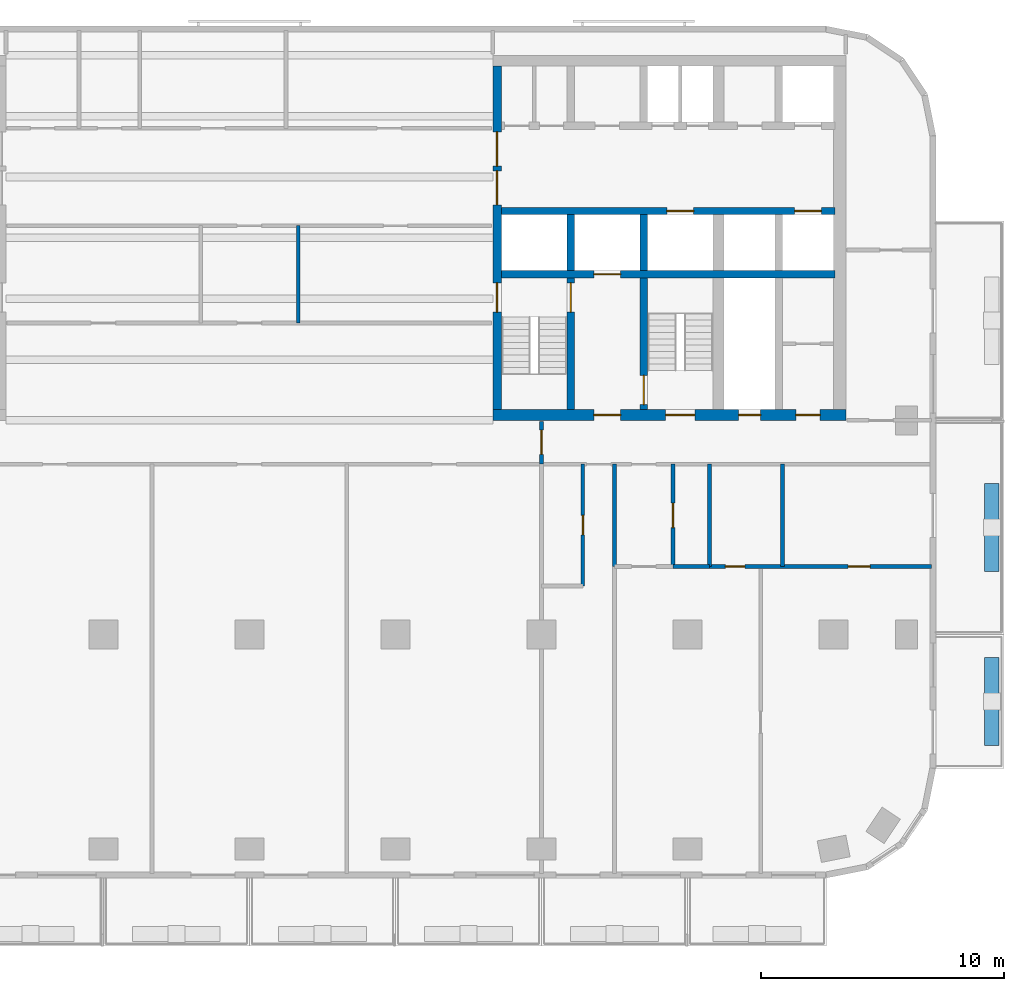
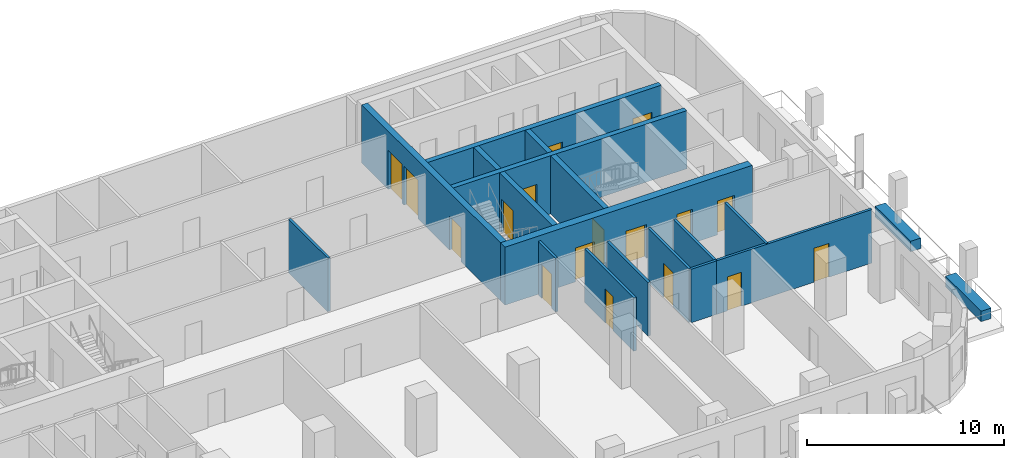
# One storey, part 5 of 11: 19 walls, 17 doors, 17 openings.
"""IFC4 building model written with IfcOpenShell, lengths in metres."""

from ifc_helpers import new_model, si_unit, direction, frame, frame_2d, origin, place, context, subcontext, project, spatial, rectangle, extrude, material, layer, layer_set, type_object, element, fill, save


model = new_model("IFC4")

# Units and contexts
model_context = context("Model", 3, precision=1e-05, world=origin(), true_north=direction((0.0, 1.0)))
body_context = subcontext(model_context, "Body", "Model", "MODEL_VIEW")
ifc_project = project(units=[si_unit("LENGTHUNIT", "METRE"), si_unit("AREAUNIT", "SQUARE_METRE"), si_unit("VOLUMEUNIT", "CUBIC_METRE"), si_unit("PLANEANGLEUNIT", "RADIAN"), si_unit("MASSUNIT", "GRAM", prefix="KILO")], contexts=[model_context])

# Site, building, storey
site_placement = place(None, origin())
site = spatial("IfcSite", under=ifc_project, at=site_placement, CompositionType="ELEMENT")
building_placement = place(site_placement, origin())
building = spatial("IfcBuilding", under=site, at=building_placement, Name="Torana Hotel and Residences", CompositionType="ELEMENT")
storey_placement = place(building_placement, frame((0.0, 0.0, 152.39990234375)))
storey = spatial("IfcBuildingStorey", under=building, at=storey_placement, Name="L39", CompositionType="ELEMENT", Elevation=152.39990234375)

# Wall, openings, doors
ifc_material_1 = material(Name="Concrete C70/85", Category="concrete")
ifc_layer_1 = layer(ifc_material_1, 0.300048828125)
ifc_layer_set_1 = layer_set([ifc_layer_1], Name="CORE WALL 300 C70/85")
wall_type_1 = type_object("IfcWallType", Name="CORE WALL 300 C70/85", PredefinedType="SHEAR", material=ifc_layer_set_1)
wall_1_placement = place(storey_placement, frame((10.35009765625, -6.39990234375, 0.0), z_axis=(0.0, 0.0, 1.0), x_axis=(1.0, 0.0, 0.0)))
wall_1 = element("IfcWall", 1, at=wall_1_placement, inside=storey, type_object=wall_type_1, Name="Core wall E row-S", PredefinedType="SHEAR", context=body_context, shape_type="SweptSolid", body=[
    extrude(rectangle(XDim=13.699951171875, YDim=0.300048828125, at=frame_2d((6.85009765625, 0.0))), origin(), (0.0, 0.0, 1.0), 3.60009765625),
])
opening_1_placement = place(wall_1_placement, frame((12.050048828125, 0.0, 0.0)))
opening_1 = element("IfcOpeningElement", 2, at=opening_1_placement, cuts=wall_1, Name="Opening LD", PredefinedType="OPENING", context=body_context, shape_type="SweptSolid", body=[
    extrude(rectangle(XDim=1.10009765625, YDim=2.10009765625, at=frame_2d((0.550048828125, 1.050048828125))), frame((0.0, 0.159912109375, 0.0), z_axis=(0.0, -1.0, 0.0), x_axis=(1.0, 0.0, 0.0)), (0.0, 0.0, 1.0), 0.320068359375),
])
opening_2_placement = place(wall_1_placement, frame((6.800048828125, 0.0, 0.0)))
opening_2 = element("IfcOpeningElement", 3, at=opening_2_placement, cuts=wall_1, Name="Opening LD", PredefinedType="OPENING", context=body_context, shape_type="SweptSolid", body=[
    extrude(rectangle(XDim=1.10009765625, YDim=2.10009765625, at=frame_2d((0.550048828125, 1.050048828125))), frame((0.0, 0.159912109375, 0.0), z_axis=(0.0, -1.0, 0.0), x_axis=(1.0, 0.0, 0.0)), (0.0, 0.0, 1.0), 0.320068359375),
])
ifc_material_2 = material(Name="Stainless steel 316", Category="steel")
door_type_1 = type_object("IfcDoorType", Name="LIFT LANDING DOOR LD 1100x2100", OperationType="DOUBLE_DOOR_SLIDING", PredefinedType="USERDEFINED", material=ifc_material_2)
door_1_placement = place(opening_1_placement, origin())
door_1 = element("IfcDoor", 4, at=door_1_placement, inside=storey, type_object=door_type_1, Name="Lift landing door M4 L39", ObjectType="LIFT LANDING DOOR", OperationType="DOUBLE_DOOR_SLIDING", OverallHeight=2.10009765625, OverallWidth=1.10009765625, PredefinedType="USERDEFINED", context=body_context, shape_type="SweptSolid", body=[
    extrude(rectangle(XDim=1.10009765625, YDim=2.10009765625, at=frame_2d((0.550048828125, 1.050048828125))), frame((0.0, 0.02490234375, 0.0), z_axis=(0.0, -1.0, 0.0), x_axis=(1.0, 0.0, 0.0)), (0.0, 0.0, 1.0), 0.050048828125),
])
fill(opening_1, door_1)
door_2_placement = place(opening_2_placement, origin())
door_2 = element("IfcDoor", 5, at=door_2_placement, inside=storey, type_object=door_type_1, Name="Lift landing door SV2 L39", ObjectType="LIFT LANDING DOOR", OperationType="DOUBLE_DOOR_SLIDING", OverallHeight=2.10009765625, OverallWidth=1.10009765625, PredefinedType="USERDEFINED", context=body_context, shape_type="SweptSolid", body=[
    extrude(rectangle(XDim=1.10009765625, YDim=2.10009765625, at=frame_2d((0.550048828125, 1.050048828125))), frame((0.0, 0.02490234375, 0.0), z_axis=(0.0, -1.0, 0.0), x_axis=(1.0, 0.0, 0.0)), (0.0, 0.0, 1.0), 0.050048828125),
])
fill(opening_2, door_2)

# Wall, opening, door
wall_2_placement = place(storey_placement, frame((10.35009765625, -9.0, 0.0), z_axis=(0.0, 0.0, 1.0), x_axis=(1.0, 0.0, 0.0)))
wall_2 = element("IfcWall", 6, at=wall_2_placement, inside=storey, type_object=wall_type_1, Name="Core wall E band", PredefinedType="SHEAR", context=body_context, shape_type="SweptSolid", body=[
    extrude(rectangle(XDim=13.699951171875, YDim=0.300048828125, at=frame_2d((6.85009765625, 0.0))), origin(), (0.0, 0.0, 1.0), 3.60009765625),
])
opening_3_placement = place(wall_2_placement, frame((3.800048828125, 0.0, 0.0)))
opening_3 = element("IfcOpeningElement", 7, at=opening_3_placement, cuts=wall_2, Name="Opening LD", PredefinedType="OPENING", context=body_context, shape_type="SweptSolid", body=[
    extrude(rectangle(XDim=1.10009765625, YDim=2.10009765625, at=frame_2d((0.550048828125, 1.050048828125))), frame((0.0, 0.159912109375, 0.0), z_axis=(0.0, -1.0, 0.0), x_axis=(1.0, 0.0, 0.0)), (0.0, 0.0, 1.0), 0.320068359375),
])
door_3_placement = place(opening_3_placement, origin())
door_3 = element("IfcDoor", 8, at=door_3_placement, inside=storey, type_object=door_type_1, Name="Lift landing door FF2 L39", ObjectType="LIFT LANDING DOOR", OperationType="DOUBLE_DOOR_SLIDING", OverallHeight=2.10009765625, OverallWidth=1.10009765625, PredefinedType="USERDEFINED", context=body_context, shape_type="SweptSolid", body=[
    extrude(rectangle(XDim=1.10009765625, YDim=2.10009765625, at=frame_2d((0.550048828125, 1.050048828125))), frame((0.0, 0.02490234375, 0.0), z_axis=(0.0, -1.0, 0.0), x_axis=(1.0, 0.0, 0.0)), (0.0, 0.0, 1.0), 0.050048828125),
])
fill(opening_3, door_3)

# Wall
wall_3_placement = place(storey_placement, frame((13.199951171875, -8.85009765625, 0.0), z_axis=(0.0, 0.0, 1.0), x_axis=(0.0, 1.0, 0.0)))
element("IfcWall", 9, at=wall_3_placement, inside=storey, type_object=wall_type_1, Name="Core wall E x3.05-S", PredefinedType="SHEAR", context=body_context, shape_type="SweptSolid", body=[
    extrude(rectangle(XDim=2.300048828125, YDim=0.300048828125, at=frame_2d((1.14990234375, 0.0))), origin(), (0.0, 0.0, 1.0), 3.60009765625),
])

# Wall, opening, door
wall_4_placement = place(storey_placement, frame((13.199951171875, -14.550048828125, 0.0), z_axis=(0.0, 0.0, 1.0), x_axis=(0.0, 1.0, 0.0)))
wall_4 = element("IfcWall", 10, at=wall_4_placement, inside=storey, type_object=wall_type_1, Name="Core wall E x3.05-band", PredefinedType="SHEAR", context=body_context, shape_type="SweptSolid", body=[
    extrude(rectangle(XDim=5.400146484375, YDim=0.300048828125, at=frame_2d((2.7001953125, 0.0))), origin(), (0.0, 0.0, 1.0), 3.60009765625),
])
opening_4_placement = place(wall_4_placement, frame((4.0, 0.0, 0.0)))
opening_4 = element("IfcOpeningElement", 11, at=opening_4_placement, cuts=wall_4, Name="Opening L39-29", PredefinedType="OPENING", context=body_context, shape_type="SweptSolid", body=[
    extrude(rectangle(XDim=1.199951171875, YDim=2.10009765625, at=frame_2d((0.60009765625, 1.050048828125))), frame((0.0, 0.159912109375, 0.0), z_axis=(0.0, -1.0, 0.0), x_axis=(1.0, 0.0, 0.0)), (0.0, 0.0, 1.0), 0.320068359375),
])
ifc_material_3 = material(Name="Steel S235", Category="steel")
door_type_2 = type_object("IfcDoorType", Name="STAIR FIRE DOOR D3 1200x2100", OperationType="SINGLE_SWING_LEFT", PredefinedType="DOOR", material=ifc_material_3)
door_4_placement = place(opening_4_placement, origin())
door_4 = element("IfcDoor", 12, at=door_4_placement, inside=storey, type_object=door_type_2, Name="Stair-A-lobby door L39", OperationType="SINGLE_SWING_LEFT", OverallHeight=2.10009765625, OverallWidth=1.199951171875, PredefinedType="DOOR", context=body_context, shape_type="SweptSolid", body=[
    extrude(rectangle(XDim=1.199951171875, YDim=2.10009765625, at=frame_2d((0.60009765625, 1.050048828125))), frame((0.0, 0.02490234375, 0.0), z_axis=(0.0, -1.0, 0.0), x_axis=(1.0, 0.0, 0.0)), (0.0, 0.0, 1.0), 0.050048828125),
])
fill(opening_4, door_4)

# Wall
wall_5_placement = place(storey_placement, frame((16.199951171875, -8.85009765625, 0.0), z_axis=(0.0, 0.0, 1.0), x_axis=(0.0, 1.0, 0.0)))
element("IfcWall", 13, at=wall_5_placement, inside=storey, type_object=wall_type_1, Name="Core wall E x6.05-S", PredefinedType="SHEAR", context=body_context, shape_type="SweptSolid", body=[
    extrude(rectangle(XDim=2.300048828125, YDim=0.300048828125, at=frame_2d((1.14990234375, 0.0))), origin(), (0.0, 0.0, 1.0), 3.60009765625),
])

# Wall, opening, door
wall_6_placement = place(storey_placement, frame((16.199951171875, -14.550048828125, 0.0), z_axis=(0.0, 0.0, 1.0), x_axis=(0.0, 1.0, 0.0)))
wall_6 = element("IfcWall", 14, at=wall_6_placement, inside=storey, type_object=wall_type_1, Name="Core wall E x6.05-band", PredefinedType="SHEAR", context=body_context, shape_type="SweptSolid", body=[
    extrude(rectangle(XDim=5.400146484375, YDim=0.300048828125, at=frame_2d((2.7001953125, 0.0))), origin(), (0.0, 0.0, 1.0), 3.60009765625),
])
opening_5_placement = place(wall_6_placement, frame((0.199951171875, 0.0, 0.0)))
opening_5 = element("IfcOpeningElement", 15, at=opening_5_placement, cuts=wall_6, Name="Opening L39-30", PredefinedType="OPENING", context=body_context, shape_type="SweptSolid", body=[
    extrude(rectangle(XDim=1.199951171875, YDim=2.10009765625, at=frame_2d((0.60009765625, 1.050048828125))), frame((0.0, 0.159912109375, 0.0), z_axis=(0.0, -1.0, 0.0), x_axis=(1.0, 0.0, 0.0)), (0.0, 0.0, 1.0), 0.320068359375),
])
door_5_placement = place(opening_5_placement, frame((0.60009765625, 0.0, 0.0), z_axis=(0.0, 0.0, 1.0), x_axis=(-1.0, 0.0, 0.0)))
door_5 = element("IfcDoor", 16, at=door_5_placement, inside=storey, type_object=door_type_2, Name="Stair-B-lobby door L39", OperationType="SINGLE_SWING_LEFT", OverallHeight=2.10009765625, OverallWidth=1.199951171875, PredefinedType="DOOR", context=body_context, shape_type="SweptSolid", body=[
    extrude(rectangle(XDim=1.199951171875, YDim=2.10009765625, at=frame_2d((0.0, 1.050048828125))), frame((0.0, -0.02490234375, 0.0), z_axis=(0.0, 1.0, 0.0), x_axis=(-1.0, 0.0, 0.0)), (0.0, 0.0, 1.0), 0.050048828125),
])
fill(opening_5, door_5)

# Wall, openings, doors
ifc_material_4 = material(Name="Concrete C70/85", Category="concrete")
ifc_layer_2 = layer(ifc_material_4, 0.35009765625)
ifc_layer_set_2 = layer_set([ifc_layer_2], Name="CORE WALL 350 C70/85")
wall_type_2 = type_object("IfcWallType", Name="CORE WALL 350 C70/85", PredefinedType="SHEAR", material=ifc_layer_set_2)
wall_7_placement = place(storey_placement, frame((10.175048828125, -14.550048828125, 0.0), z_axis=(0.0, 0.0, 1.0), x_axis=(0.0, 1.0, 0.0)))
wall_7 = element("IfcWall", 17, at=wall_7_placement, inside=storey, type_object=wall_type_2, Name="Core wall E arch", PredefinedType="SHEAR", context=body_context, shape_type="SweptSolid", body=[
    extrude(rectangle(XDim=14.10009765625, YDim=0.35009765625, at=frame_2d((7.050048828125, 0.0))), origin(), (0.0, 0.0, 1.0), 3.60009765625),
])
opening_6_placement = place(wall_7_placement, frame((8.39990234375, 0.0, 0.0)))
opening_6 = element("IfcOpeningElement", 18, at=opening_6_placement, cuts=wall_7, Name="Opening L39-16", PredefinedType="OPENING", context=body_context, shape_type="SweptSolid", body=[
    extrude(rectangle(XDim=1.39990234375, YDim=2.39990234375, at=frame_2d((0.699951171875, 1.199951171875))), frame((0.0, 0.18505859375, 0.0), z_axis=(0.0, -1.0, 0.0), x_axis=(1.0, 0.0, 0.0)), (0.0, 0.0, 1.0), 0.3701171875),
])
opening_7_placement = place(wall_7_placement, frame((10.0, 0.0, 0.0)))
opening_7 = element("IfcOpeningElement", 19, at=opening_7_placement, cuts=wall_7, Name="Opening L39-17", PredefinedType="OPENING", context=body_context, shape_type="SweptSolid", body=[
    extrude(rectangle(XDim=1.39990234375, YDim=2.39990234375, at=frame_2d((0.699951171875, 1.199951171875))), frame((0.0, 0.18505859375, 0.0), z_axis=(0.0, -1.0, 0.0), x_axis=(1.0, 0.0, 0.0)), (0.0, 0.0, 1.0), 0.3701171875),
])
opening_8_placement = place(wall_7_placement, frame((4.0, 0.0, 0.0)))
opening_8 = element("IfcOpeningElement", 20, at=opening_8_placement, cuts=wall_7, Name="Opening L39-18", PredefinedType="OPENING", context=body_context, shape_type="SweptSolid", body=[
    extrude(rectangle(XDim=1.199951171875, YDim=2.10009765625, at=frame_2d((0.60009765625, 1.050048828125))), frame((0.0, 0.18505859375, 0.0), z_axis=(0.0, -1.0, 0.0), x_axis=(1.0, 0.0, 0.0)), (0.0, 0.0, 1.0), 0.3701171875),
])
ifc_material_5 = material(Name="Steel S235", Category="steel")
door_type_3 = type_object("IfcDoorType", Name="LOBBY FIRE DOOR D4 1400x2400", OperationType="DOUBLE_DOOR_SINGLE_SWING", PredefinedType="DOOR", material=ifc_material_5)
door_6_placement = place(opening_6_placement, origin())
door_6 = element("IfcDoor", 21, at=door_6_placement, inside=storey, type_object=door_type_3, Name="Lobby-1 door L39", OperationType="DOUBLE_DOOR_SINGLE_SWING", OverallHeight=2.39990234375, OverallWidth=1.39990234375, PredefinedType="DOOR", context=body_context, shape_type="SweptSolid", body=[
    extrude(rectangle(XDim=1.39990234375, YDim=2.39990234375, at=frame_2d((0.699951171875, 1.199951171875))), frame((0.0, 0.02490234375, 0.0), z_axis=(0.0, -1.0, 0.0), x_axis=(1.0, 0.0, 0.0)), (0.0, 0.0, 1.0), 0.050048828125),
])
fill(opening_6, door_6)
door_7_placement = place(opening_7_placement, origin())
door_7 = element("IfcDoor", 22, at=door_7_placement, inside=storey, type_object=door_type_3, Name="Lobby-2 door L39", OperationType="DOUBLE_DOOR_SINGLE_SWING", OverallHeight=2.39990234375, OverallWidth=1.39990234375, PredefinedType="DOOR", context=body_context, shape_type="SweptSolid", body=[
    extrude(rectangle(XDim=1.39990234375, YDim=2.39990234375, at=frame_2d((0.699951171875, 1.199951171875))), frame((0.0, 0.02490234375, 0.0), z_axis=(0.0, -1.0, 0.0), x_axis=(1.0, 0.0, 0.0)), (0.0, 0.0, 1.0), 0.050048828125),
])
fill(opening_7, door_7)
door_8_placement = place(opening_8_placement, frame((0.60009765625, 0.0, 0.0), z_axis=(0.0, 0.0, 1.0), x_axis=(-1.0, 0.0, 0.0)))
door_8 = element("IfcDoor", 23, at=door_8_placement, inside=storey, type_object=door_type_2, Name="Stair-A door L39", OperationType="SINGLE_SWING_RIGHT", OverallHeight=2.10009765625, OverallWidth=1.199951171875, PredefinedType="DOOR", context=body_context, shape_type="SweptSolid", body=[
    extrude(rectangle(XDim=1.199951171875, YDim=2.10009765625, at=frame_2d((0.0, 1.050048828125))), frame((0.0, -0.02490234375, 0.0), z_axis=(0.0, 1.0, 0.0), x_axis=(-1.0, 0.0, 0.0)), (0.0, 0.0, 1.0), 0.050048828125),
])
fill(opening_8, door_8)

ifc_material_6 = material(Name="Concrete C70/85", Category="concrete")
ifc_layer_3 = layer(ifc_material_6, 0.449951171875)
ifc_layer_set_3 = layer_set([ifc_layer_3], Name="CORE WALL 450 C70/85")
wall_type_3 = type_object("IfcWallType", Name="CORE WALL 450 C70/85", PredefinedType="SHEAR", material=ifc_layer_set_3)
wall_8_placement = place(storey_placement, frame((10.0, -14.77490234375, 0.0), z_axis=(0.0, 0.0, 1.0), x_axis=(1.0, 0.0, 0.0)))
wall_8 = element("IfcWall", 24, at=wall_8_placement, inside=storey, type_object=wall_type_3, Name="Core wall E front", PredefinedType="SHEAR", context=body_context, shape_type="SweptSolid", body=[
    extrude(rectangle(XDim=14.5, YDim=0.449951171875, at=frame_2d((7.25, 0.0))), origin(), (0.0, 0.0, 1.0), 3.60009765625),
])
opening_9_placement = place(wall_8_placement, frame((7.10009765625, 0.0, 0.0)))
opening_9 = element("IfcOpeningElement", 25, at=opening_9_placement, cuts=wall_8, Name="Opening L39-19", PredefinedType="OPENING", context=body_context, shape_type="SweptSolid", body=[
    extrude(rectangle(XDim=1.199951171875, YDim=2.10009765625, at=frame_2d((0.60009765625, 1.050048828125))), frame((0.0, 0.23486328125, 0.0), z_axis=(0.0, -1.0, 0.0), x_axis=(1.0, 0.0, 0.0)), (0.0, 0.0, 1.0), 0.469970703125),
])
opening_10_placement = place(wall_8_placement, frame((4.14990234375, 0.0, 0.0)))
opening_10 = element("IfcOpeningElement", 26, at=opening_10_placement, cuts=wall_8, Name="Opening L39-20", PredefinedType="OPENING", context=body_context, shape_type="SweptSolid", body=[
    extrude(rectangle(XDim=1.10009765625, YDim=2.10009765625, at=frame_2d((0.550048828125, 1.050048828125))), frame((0.0, 0.23486328125, 0.0), z_axis=(0.0, -1.0, 0.0), x_axis=(1.0, 0.0, 0.0)), (0.0, 0.0, 1.0), 0.469970703125),
])
opening_11_placement = place(wall_8_placement, frame((10.10009765625, 0.0, 0.0)))
opening_11 = element("IfcOpeningElement", 27, at=opening_11_placement, cuts=wall_8, Name="Opening L39-21", PredefinedType="OPENING", context=body_context, shape_type="SweptSolid", body=[
    extrude(rectangle(XDim=0.89990234375, YDim=2.10009765625, at=frame_2d((0.449951171875, 1.050048828125))), frame((0.0, 0.23486328125, 0.0), z_axis=(0.0, -1.0, 0.0), x_axis=(1.0, 0.0, 0.0)), (0.0, 0.0, 1.0), 0.469970703125),
])
opening_12_placement = place(wall_8_placement, frame((12.449951171875, 0.0, 0.0)))
opening_12 = element("IfcOpeningElement", 28, at=opening_12_placement, cuts=wall_8, Name="Opening L39-22", PredefinedType="OPENING", context=body_context, shape_type="SweptSolid", body=[
    extrude(rectangle(XDim=1.0, YDim=2.10009765625, at=frame_2d((0.5, 1.050048828125))), frame((0.0, 0.23486328125, 0.0), z_axis=(0.0, -1.0, 0.0), x_axis=(1.0, 0.0, 0.0)), (0.0, 0.0, 1.0), 0.469970703125),
])
ifc_material_7 = material(Name="Steel S235", Category="steel")
door_type_4 = type_object("IfcDoorType", Name="CORE ROOM FIRE DOOR D14 1000x2100", OperationType="SINGLE_SWING_LEFT", PredefinedType="DOOR", material=ifc_material_7)
door_9_placement = place(opening_12_placement, origin())
door_9 = element("IfcDoor", 29, at=door_9_placement, inside=storey, type_object=door_type_4, Name="M-Room-B door L39", OperationType="SINGLE_SWING_RIGHT", OverallHeight=2.10009765625, OverallWidth=1.0, PredefinedType="DOOR", context=body_context, shape_type="SweptSolid", body=[
    extrude(rectangle(XDim=1.0, YDim=2.10009765625, at=frame_2d((0.5, 1.050048828125))), frame((0.0, 0.02490234375, 0.0), z_axis=(0.0, -1.0, 0.0), x_axis=(1.0, 0.0, 0.0)), (0.0, 0.0, 1.0), 0.050048828125),
])
fill(opening_12, door_9)
ifc_material_8 = material(Name="Steel S235", Category="steel")
door_type_5 = type_object("IfcDoorType", Name="FIRE-FIGHTING LOBBY DOOR D8 1100x2100", OperationType="SINGLE_SWING_LEFT", PredefinedType="DOOR", material=ifc_material_8)
door_10_placement = place(opening_10_placement, origin())
door_10 = element("IfcDoor", 30, at=door_10_placement, inside=storey, type_object=door_type_5, Name="FF-lobby door L39", OperationType="SINGLE_SWING_RIGHT", OverallHeight=2.10009765625, OverallWidth=1.10009765625, PredefinedType="DOOR", context=body_context, shape_type="SweptSolid", body=[
    extrude(rectangle(XDim=1.10009765625, YDim=2.10009765625, at=frame_2d((0.550048828125, 1.050048828125))), frame((0.0, 0.02490234375, 0.0), z_axis=(0.0, -1.0, 0.0), x_axis=(1.0, 0.0, 0.0)), (0.0, 0.0, 1.0), 0.050048828125),
])
fill(opening_10, door_10)
ifc_material_9 = material(Name="Steel S235", Category="steel")
door_type_6 = type_object("IfcDoorType", Name="RISER ACCESS DOOR D5 900x2100", OperationType="SINGLE_SWING_LEFT", PredefinedType="DOOR", material=ifc_material_9)
door_11_placement = place(opening_11_placement, origin())
door_11 = element("IfcDoor", 31, at=door_11_placement, inside=storey, type_object=door_type_6, Name="M-Riser door L39", OperationType="SINGLE_SWING_RIGHT", OverallHeight=2.10009765625, OverallWidth=0.89990234375, PredefinedType="DOOR", context=body_context, shape_type="SweptSolid", body=[
    extrude(rectangle(XDim=0.89990234375, YDim=2.10009765625, at=frame_2d((0.449951171875, 1.050048828125))), frame((0.0, 0.02490234375, 0.0), z_axis=(0.0, -1.0, 0.0), x_axis=(1.0, 0.0, 0.0)), (0.0, 0.0, 1.0), 0.050048828125),
])
fill(opening_11, door_11)
door_12_placement = place(opening_9_placement, origin())
door_12 = element("IfcDoor", 32, at=door_12_placement, inside=storey, type_object=door_type_2, Name="Stair-B door L39", OperationType="SINGLE_SWING_RIGHT", OverallHeight=2.10009765625, OverallWidth=1.199951171875, PredefinedType="DOOR", context=body_context, shape_type="SweptSolid", body=[
    extrude(rectangle(XDim=1.199951171875, YDim=2.10009765625, at=frame_2d((0.60009765625, 1.050048828125))), frame((0.0, 0.02490234375, 0.0), z_axis=(0.0, -1.0, 0.0), x_axis=(1.0, 0.0, 0.0)), (0.0, 0.0, 1.0), 0.050048828125),
])
fill(opening_9, door_12)

# Wall, opening, door
ifc_material_10 = material(Name="Gypsum plaster")
ifc_layer_4 = layer(ifc_material_10, 0.014892578125, Name="Plaster", Category="finish")
ifc_material_11 = material(Name="Concrete blockwork", Category="masonry")
ifc_layer_5 = layer(ifc_material_11, 0.1201171875, Name="Blockwork", Category="structure")
ifc_layer_6 = layer(ifc_material_10, 0.014892578125, Name="Plaster", Category="finish")
ifc_layer_set_4 = layer_set([ifc_layer_4, ifc_layer_5, ifc_layer_6], Name="FIRE PARTITION 150 BLOCKWORK")
wall_type_4 = type_object("IfcWallType", Name="FIRE PARTITION 150 BLOCKWORK", PredefinedType="PARTITIONING", material=ifc_layer_set_4)
wall_9_placement = place(storey_placement, frame((17.39990234375, -21.0, 0.0), z_axis=(0.0, 0.0, 1.0), x_axis=(0.0, 1.0, 0.0)))
wall_9 = element("IfcWall", 33, at=wall_9_placement, inside=storey, type_object=wall_type_4, Name="Partition L39", PredefinedType="PARTITIONING", context=body_context, shape_type="SweptSolid", body=[
    extrude(rectangle(XDim=4.199951171875, YDim=0.14990234375, at=frame_2d((2.10009765625, 0.0))), origin(), (0.0, 0.0, 1.0), 3.320068359375),
])
opening_13_placement = place(wall_9_placement, frame((1.60009765625, 0.0, 0.0)))
opening_13 = element("IfcOpeningElement", 34, at=opening_13_placement, cuts=wall_9, Name="Opening L39-59", PredefinedType="OPENING", context=body_context, shape_type="SweptSolid", body=[
    extrude(rectangle(XDim=1.0, YDim=2.10009765625, at=frame_2d((0.5, 1.050048828125))), frame((0.0, 0.0849609375, 0.0), z_axis=(0.0, -1.0, 0.0), x_axis=(1.0, 0.0, 0.0)), (0.0, 0.0, 1.0), 0.169921875),
])
ifc_material_12 = material(Name="Steel S235", Category="steel")
door_type_7 = type_object("IfcDoorType", Name="ENTRY FIRE DOOR D6 1000x2100", OperationType="SINGLE_SWING_LEFT", PredefinedType="DOOR", material=ifc_material_12)
door_13_placement = place(opening_13_placement, frame((0.5, 0.0, 0.0), z_axis=(0.0, 0.0, 1.0), x_axis=(-1.0, 0.0, 0.0)))
door_13 = element("IfcDoor", 35, at=door_13_placement, inside=storey, type_object=door_type_7, Name="Door L39", OperationType="SINGLE_SWING_LEFT", OverallHeight=2.10009765625, OverallWidth=1.0, PredefinedType="DOOR", context=body_context, shape_type="SweptSolid", body=[
    extrude(rectangle(XDim=1.0, YDim=2.10009765625, at=frame_2d((0.0, 1.050048828125))), frame((0.0, -0.02490234375, 0.0), z_axis=(0.0, 1.0, 0.0), x_axis=(-1.0, 0.0, 0.0)), (0.0, 0.0, 1.0), 0.050048828125),
])
fill(opening_13, door_13)

# Wall
wall_10_placement = place(storey_placement, frame((15.0, -21.0, 0.0), z_axis=(0.0, 0.0, 1.0), x_axis=(0.0, 1.0, 0.0)))
element("IfcWall", 36, at=wall_10_placement, inside=storey, type_object=wall_type_4, Name="Partition L39", PredefinedType="PARTITIONING", context=body_context, shape_type="SweptSolid", body=[
    extrude(rectangle(XDim=4.199951171875, YDim=0.14990234375, at=frame_2d((2.10009765625, 0.0))), origin(), (0.0, 0.0, 1.0), 3.320068359375),
])

# Wall, opening, door
wall_11_placement = place(storey_placement, frame((12.0, -16.800048828125, 0.0), z_axis=(0.0, 0.0, 1.0), x_axis=(0.0, 1.0, 0.0)))
wall_11 = element("IfcWall", 37, at=wall_11_placement, inside=storey, type_object=wall_type_4, Name="Partition L39", PredefinedType="PARTITIONING", context=body_context, shape_type="SweptSolid", body=[
    extrude(rectangle(XDim=1.75, YDim=0.14990234375, at=frame_2d((0.875, 0.0))), origin(), (0.0, 0.0, 1.0), 3.320068359375),
])
opening_14_placement = place(wall_11_placement, frame((0.39990234375, 0.0, 0.0)))
opening_14 = element("IfcOpeningElement", 38, at=opening_14_placement, cuts=wall_11, Name="Opening L39-37", PredefinedType="OPENING", context=body_context, shape_type="SweptSolid", body=[
    extrude(rectangle(XDim=1.0, YDim=2.10009765625, at=frame_2d((0.5, 1.050048828125))), frame((0.0, 0.0849609375, 0.0), z_axis=(0.0, -1.0, 0.0), x_axis=(1.0, 0.0, 0.0)), (0.0, 0.0, 1.0), 0.169921875),
])
door_14_placement = place(opening_14_placement, origin())
door_14 = element("IfcDoor", 39, at=door_14_placement, inside=storey, type_object=door_type_7, Name="Door L39", OperationType="SINGLE_SWING_RIGHT", OverallHeight=2.10009765625, OverallWidth=1.0, PredefinedType="DOOR", context=body_context, shape_type="SweptSolid", body=[
    extrude(rectangle(XDim=1.0, YDim=2.10009765625, at=frame_2d((0.5, 1.050048828125))), frame((0.0, 0.02490234375, 0.0), z_axis=(0.0, -1.0, 0.0), x_axis=(1.0, 0.0, 0.0)), (0.0, 0.0, 1.0), 0.050048828125),
])
fill(opening_14, door_14)

# Walls
wall_12_placement = place(storey_placement, frame((2.0, -11.0, 0.0), z_axis=(0.0, 0.0, 1.0), x_axis=(0.0, 1.0, 0.0)))
element("IfcWall", 40, at=wall_12_placement, inside=storey, type_object=wall_type_4, Name="Partition L39", PredefinedType="PARTITIONING", context=body_context, shape_type="SweptSolid", body=[
    extrude(rectangle(XDim=4.0, YDim=0.14990234375, at=frame_2d((2.0, 0.0))), origin(), (0.0, 0.0, 1.0), 3.320068359375),
])
ifc_material_13 = material(Name="Gypsum plasterboard")
ifc_layer_7 = layer(ifc_material_13, 0.012451171875, Name="Plasterboard", Category="finish")
ifc_layer_8 = layer(ifc_material_13, 0.012451171875, Name="Plasterboard", Category="finish")
ifc_material_14 = material(Name="Steel S280GD", Category="steel")
ifc_layer_9 = layer(ifc_material_14, 0.10009765625, Name="Steel studs with mineral wool", Category="insulation")
ifc_layer_10 = layer(ifc_material_13, 0.012451171875, Name="Plasterboard", Category="finish")
ifc_layer_11 = layer(ifc_material_13, 0.012451171875, Name="Plasterboard", Category="finish")
ifc_layer_set_5 = layer_set([ifc_layer_7, ifc_layer_8, ifc_layer_9, ifc_layer_10, ifc_layer_11], Name="PARTITION 150 PLASTERBOARD")
wall_type_5 = type_object("IfcWallType", Name="PARTITION 150 PLASTERBOARD", PredefinedType="PARTITIONING", material=ifc_layer_set_5)
wall_13_placement = place(storey_placement, frame((21.89990234375, -21.0, 0.0), z_axis=(0.0, 0.0, 1.0), x_axis=(0.0, 1.0, 0.0)))
element("IfcWall", 41, at=wall_13_placement, inside=storey, type_object=wall_type_5, Name="Partition L39", PredefinedType="PARTITIONING", context=body_context, shape_type="SweptSolid", body=[
    extrude(rectangle(XDim=4.199951171875, YDim=0.14990234375, at=frame_2d((2.10009765625, 0.0))), origin(), (0.0, 0.0, 1.0), 3.320068359375),
])

# Wall, opening, door
wall_14_placement = place(storey_placement, frame((13.699951171875, -21.800048828125, 0.0), z_axis=(0.0, 0.0, 1.0), x_axis=(0.0, 1.0, 0.0)))
wall_14 = element("IfcWall", 42, at=wall_14_placement, inside=storey, type_object=wall_type_5, Name="Partition L39", PredefinedType="PARTITIONING", context=body_context, shape_type="SweptSolid", body=[
    extrude(rectangle(XDim=5.0, YDim=0.14990234375, at=frame_2d((2.5, 0.0))), origin(), (0.0, 0.0, 1.0), 3.320068359375),
])
opening_15_placement = place(wall_14_placement, frame((2.10009765625, 0.0, 0.0)))
opening_15 = element("IfcOpeningElement", 43, at=opening_15_placement, cuts=wall_14, Name="Opening L39-53", PredefinedType="OPENING", context=body_context, shape_type="SweptSolid", body=[
    extrude(rectangle(XDim=0.800048828125, YDim=2.10009765625, at=frame_2d((0.39990234375, 1.050048828125))), frame((0.0, 0.0849609375, 0.0), z_axis=(0.0, -1.0, 0.0), x_axis=(1.0, 0.0, 0.0)), (0.0, 0.0, 1.0), 0.169921875),
])
ifc_material_15 = material(Name="Timber door, painted", Category="wood")
door_type_8 = type_object("IfcDoorType", Name="BATH DOOR D13 800x2100", OperationType="SINGLE_SWING_LEFT", PredefinedType="DOOR", material=ifc_material_15)
door_15_placement = place(opening_15_placement, origin())
door_15 = element("IfcDoor", 44, at=door_15_placement, inside=storey, type_object=door_type_8, Name="Door L39", OperationType="SINGLE_SWING_RIGHT", OverallHeight=2.10009765625, OverallWidth=0.800048828125, PredefinedType="DOOR", context=body_context, shape_type="SweptSolid", body=[
    extrude(rectangle(XDim=0.800048828125, YDim=2.10009765625, at=frame_2d((0.39990234375, 1.050048828125))), frame((0.0, 0.02490234375, 0.0), z_axis=(0.0, -1.0, 0.0), x_axis=(1.0, 0.0, 0.0)), (0.0, 0.0, 1.0), 0.050048828125),
])
fill(opening_15, door_15)

# Wall, openings, doors
wall_15_placement = place(storey_placement, frame((18.89990234375, -21.0, 0.0), z_axis=(0.0, 0.0, 1.0), x_axis=(1.0, 0.0, 0.0)))
wall_15 = element("IfcWall", 45, at=wall_15_placement, inside=storey, type_object=wall_type_5, Name="Partition L39", PredefinedType="PARTITIONING", context=body_context, shape_type="SweptSolid", body=[
    extrude(rectangle(XDim=9.1201171875, YDim=0.14990234375, at=frame_2d((4.56005859375, 0.0))), origin(), (0.0, 0.0, 1.0), 3.320068359375),
])
opening_16_placement = place(wall_15_placement, frame((0.64990234375, 0.0, 0.0)))
opening_16 = element("IfcOpeningElement", 46, at=opening_16_placement, cuts=wall_15, Name="Opening L39-61", PredefinedType="OPENING", context=body_context, shape_type="SweptSolid", body=[
    extrude(rectangle(XDim=0.800048828125, YDim=2.10009765625, at=frame_2d((0.39990234375, 1.050048828125))), frame((0.0, 0.0849609375, 0.0), z_axis=(0.0, -1.0, 0.0), x_axis=(1.0, 0.0, 0.0)), (0.0, 0.0, 1.0), 0.169921875),
])
opening_17_placement = place(wall_15_placement, frame((5.699951171875, 0.0, 0.0)))
opening_17 = element("IfcOpeningElement", 47, at=opening_17_placement, cuts=wall_15, Name="Opening L39-62", PredefinedType="OPENING", context=body_context, shape_type="SweptSolid", body=[
    extrude(rectangle(XDim=0.89990234375, YDim=2.10009765625, at=frame_2d((0.449951171875, 1.050048828125))), frame((0.0, 0.0849609375, 0.0), z_axis=(0.0, -1.0, 0.0), x_axis=(1.0, 0.0, 0.0)), (0.0, 0.0, 1.0), 0.169921875),
])
door_16_placement = place(opening_16_placement, origin())
door_16 = element("IfcDoor", 48, at=door_16_placement, inside=storey, type_object=door_type_8, Name="Door L39", OperationType="SINGLE_SWING_RIGHT", OverallHeight=2.10009765625, OverallWidth=0.800048828125, PredefinedType="DOOR", context=body_context, shape_type="SweptSolid", body=[
    extrude(rectangle(XDim=0.800048828125, YDim=2.10009765625, at=frame_2d((0.39990234375, 1.050048828125))), frame((0.0, 0.02490234375, 0.0), z_axis=(0.0, -1.0, 0.0), x_axis=(1.0, 0.0, 0.0)), (0.0, 0.0, 1.0), 0.050048828125),
])
fill(opening_16, door_16)
ifc_material_16 = material(Name="Timber door, oiled ash", Category="wood")
door_type_9 = type_object("IfcDoorType", Name="ROOM DOOR D7 900x2100", OperationType="SINGLE_SWING_LEFT", PredefinedType="DOOR", material=ifc_material_16)
door_17_placement = place(opening_17_placement, origin())
door_17 = element("IfcDoor", 49, at=door_17_placement, inside=storey, type_object=door_type_9, Name="Door L39", OperationType="SINGLE_SWING_RIGHT", OverallHeight=2.10009765625, OverallWidth=0.89990234375, PredefinedType="DOOR", context=body_context, shape_type="SweptSolid", body=[
    extrude(rectangle(XDim=0.89990234375, YDim=2.10009765625, at=frame_2d((0.449951171875, 1.050048828125))), frame((0.0, 0.02490234375, 0.0), z_axis=(0.0, -1.0, 0.0), x_axis=(1.0, 0.0, 0.0)), (0.0, 0.0, 1.0), 0.050048828125),
])
fill(opening_17, door_17)

# Walls
ifc_material_17 = material(Name="Concrete C40/50 precast", Category="concrete")
ifc_layer_12 = layer(ifc_material_17, 0.10009765625, Name="Planter shell", Category="structure")
ifc_material_18 = material(Name="Root resistant membrane")
ifc_layer_13 = layer(ifc_material_18, 0.00390625, Name="Waterproofing membrane", Category="membrane")
ifc_material_19 = material(Name="Drainage board with filter fleece")
ifc_layer_14 = layer(ifc_material_19, 0.02001953125, Name="Drainage board", Category="drainage")
ifc_material_20 = material(Name="Growing medium")
ifc_layer_15 = layer(ifc_material_20, 0.47607421875, Name="Planting substrate", Category="soil")
ifc_layer_set_6 = layer_set([ifc_layer_12, ifc_layer_13, ifc_layer_14, ifc_layer_15], Name="PL1 BALCONY PLANTER 600")
wall_type_6 = type_object("IfcWallType", Name="PL1 BALCONY PLANTER 600", PredefinedType="USERDEFINED", material=ifc_layer_set_6)
wall_16_placement = place(storey_placement, frame((30.5, -24.75, 0.0), z_axis=(0.0, 0.0, 1.0), x_axis=(0.0, -1.0, 0.0)))
element("IfcWall", 50, at=wall_16_placement, inside=storey, type_object=wall_type_6, Name="Planter 12", ObjectType="PLANTER", PredefinedType="USERDEFINED", context=body_context, shape_type="SweptSolid", body=[
    extrude(rectangle(XDim=3.60009765625, YDim=0.60009765625, at=frame_2d((1.800048828125, 0.0))), origin(), (0.0, 0.0, 1.0), 0.650146484375),
])
wall_17_placement = place(storey_placement, frame((30.5, -17.60009765625, 0.0), z_axis=(0.0, 0.0, 1.0), x_axis=(0.0, -1.0, 0.0)))
element("IfcWall", 51, at=wall_17_placement, inside=storey, type_object=wall_type_6, Name="Planter 13", ObjectType="PLANTER", PredefinedType="USERDEFINED", context=body_context, shape_type="SweptSolid", body=[
    extrude(rectangle(XDim=3.599853515625, YDim=0.60009765625, at=frame_2d((1.7998046875, 0.0))), origin(), (0.0, 0.0, 1.0), 0.650146484375),
])
ifc_material_21 = material(Name="Ceramic tile on adhesive")
ifc_layer_16 = layer(ifc_material_21, 0.010009765625, Name="Wall tile", Category="finish")
ifc_material_22 = material(Name="Cement render")
ifc_layer_17 = layer(ifc_material_22, 0.010009765625, Name="Render", Category="finish")
ifc_layer_18 = layer(ifc_material_11, 0.110107421875, Name="Blockwork", Category="structure")
ifc_layer_19 = layer(ifc_material_22, 0.010009765625, Name="Render", Category="finish")
ifc_layer_20 = layer(ifc_material_21, 0.010009765625, Name="Wall tile", Category="finish")
ifc_layer_set_7 = layer_set([ifc_layer_16, ifc_layer_17, ifc_layer_18, ifc_layer_19, ifc_layer_20], Name="WC PARTITION 150")
wall_type_7 = type_object("IfcWallType", Name="WC PARTITION 150", PredefinedType="PLUMBINGWALL", material=ifc_layer_set_7)
wall_18_placement = place(storey_placement, frame((18.89990234375, -21.0, 0.0), z_axis=(0.0, 0.0, 1.0), x_axis=(0.0, 1.0, 0.0)))
element("IfcWall", 52, at=wall_18_placement, inside=storey, type_object=wall_type_7, Name="Partition L39", PredefinedType="PLUMBINGWALL", context=body_context, shape_type="SweptSolid", body=[
    extrude(rectangle(XDim=4.199951171875, YDim=0.14990234375, at=frame_2d((2.10009765625, 0.0))), origin(), (0.0, 0.0, 1.0), 3.320068359375),
])
wall_19_placement = place(storey_placement, frame((17.39990234375, -21.0, 0.0), z_axis=(0.0, 0.0, 1.0), x_axis=(1.0, 0.0, 0.0)))
element("IfcWall", 53, at=wall_19_placement, inside=storey, type_object=wall_type_7, Name="Partition L39", PredefinedType="PLUMBINGWALL", context=body_context, shape_type="SweptSolid", body=[
    extrude(rectangle(XDim=1.5, YDim=0.14990234375, at=frame_2d((0.75, 0.0))), origin(), (0.0, 0.0, 1.0), 3.320068359375),
])

save(model, "model.ifc")
